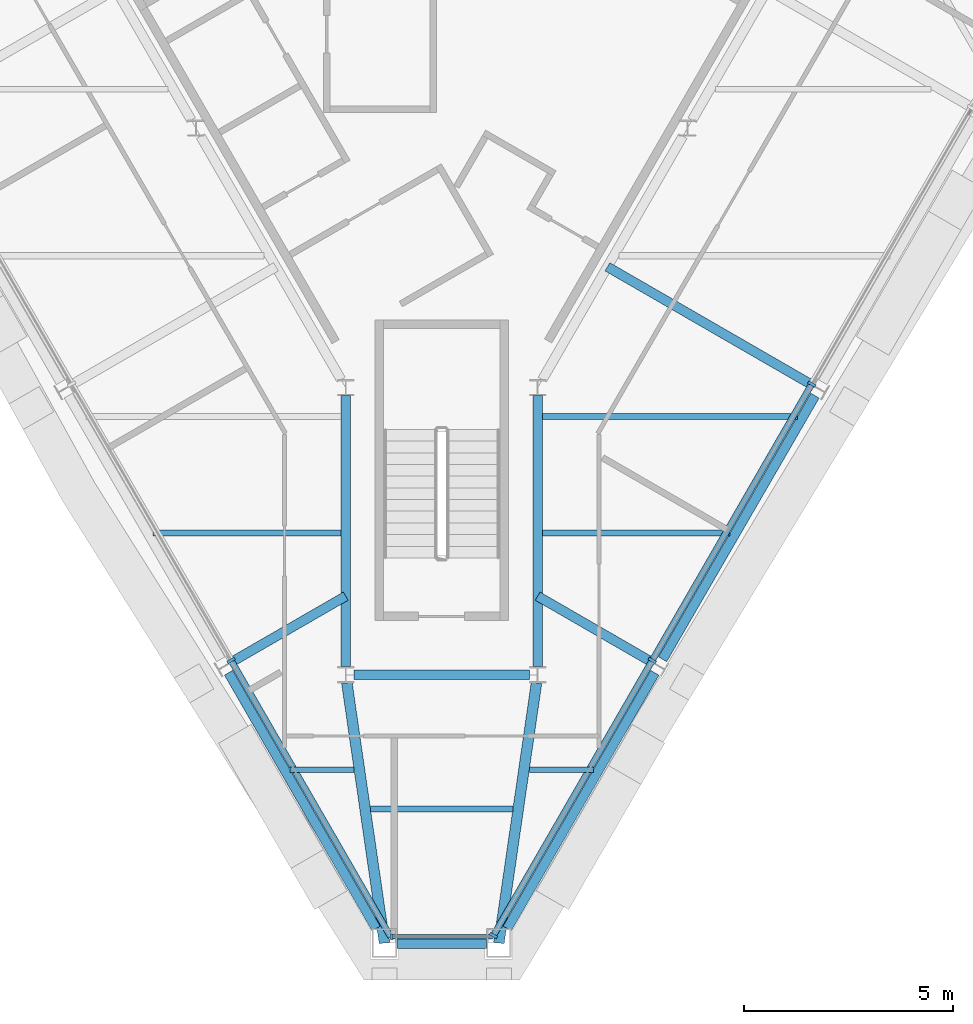
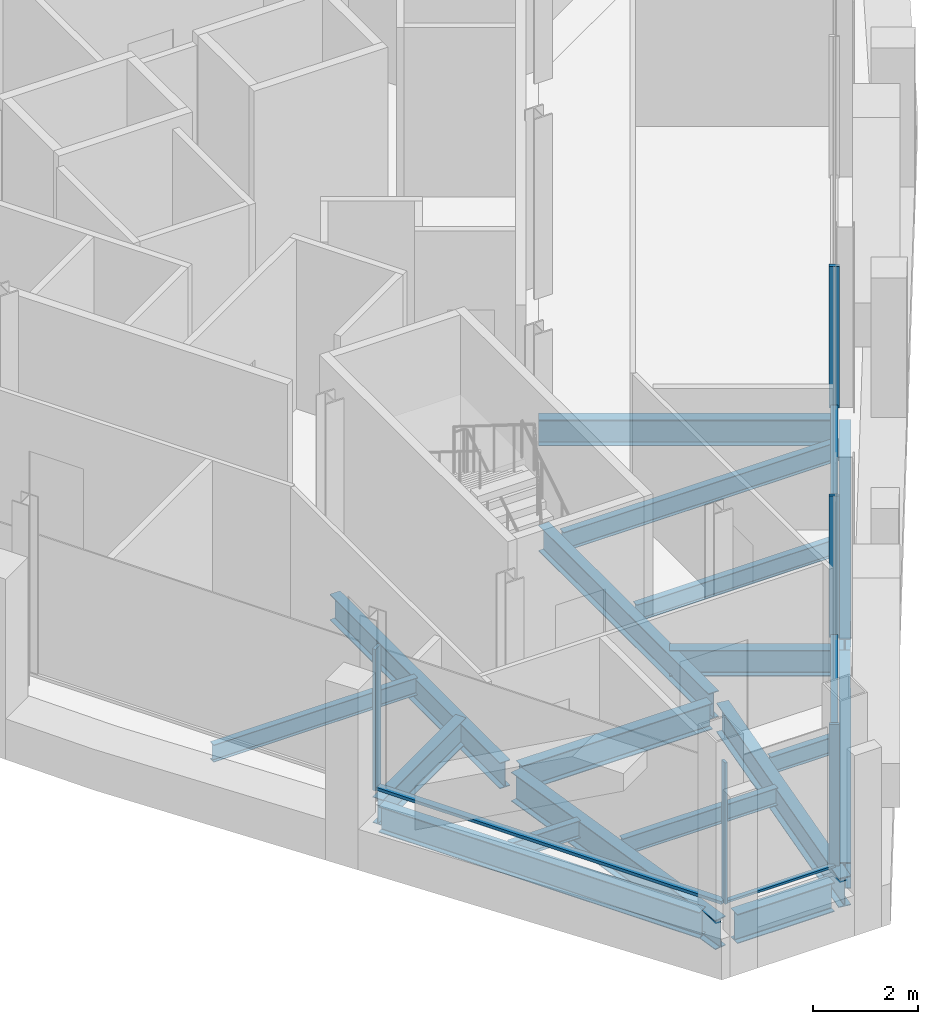
# One storey, part 3 of 13: 18 beams, 9 members, 3 elements without a shape of their own.
"""IFC4 building model written with IfcOpenShell, lengths in metres."""

from ifc_helpers import new_model, si_unit, direction, frame, origin, origin_2d, place, context, subcontext, project, spatial, rectangle, i_section, extrude, material, material_profile, profile_set, type_object, element, aggregate, save


model = new_model("IFC4")

# Units and contexts
model_context = context("Model", 3, precision=1e-05, world=origin(), true_north=direction((0.0, 1.0)))
body_context = subcontext(model_context, "Body", "Model", "MODEL_VIEW")
ifc_project = project(units=[si_unit("LENGTHUNIT", "METRE"), si_unit("AREAUNIT", "SQUARE_METRE"), si_unit("VOLUMEUNIT", "CUBIC_METRE"), si_unit("PLANEANGLEUNIT", "RADIAN"), si_unit("MASSUNIT", "GRAM", prefix="KILO")], contexts=[model_context])

# Site, building, storey
site_placement = place(None, origin())
site = spatial("IfcSite", under=ifc_project, at=site_placement, CompositionType="ELEMENT")
building_placement = place(site_placement, origin())
building = spatial("IfcBuilding", under=site, at=building_placement, Name="Verrane Prism Tower", CompositionType="ELEMENT")
storey_placement = place(building_placement, frame((0.0, 0.0, 325.199951171875)))
storey = spatial("IfcBuildingStorey", under=building, at=storey_placement, Name="L82", CompositionType="ELEMENT", Elevation=325.199951171875)

# Beams
ifc_material_1 = material(Name="Steel A992", Category="steel")
ifc_material_profile_1 = material_profile(ifc_material_1, i_section(OverallWidth=0.25390625, OverallDepth=0.683349609375, WebThickness=0.012451171875, FlangeThickness=0.01904296875, FilletRadius=0.01513671875, at=origin_2d()), Name="W27x94")
ifc_profile_set_1 = profile_set([ifc_material_profile_1], Name="Steel A992")
beam_type_1 = type_object("IfcBeamType", Name="Chamfer spandrel beam W27x94", PredefinedType="SPANDREL", material=ifc_profile_set_1)
beam_1_placement = place(storey_placement, frame((-1.070068359375, -22.929931640625, -0.50146484375), z_axis=(1.0, 0.0, 0.0), x_axis=(0.0, 1.0, 0.0)))
element("IfcBeam", 1, at=beam_1_placement, inside=storey, type_object=beam_type_1, Name="Chamfer spandrel beam L82", PredefinedType="SPANDREL", context=body_context, shape_type="SweptSolid", body=[
    extrude(i_section(OverallWidth=0.25390625, OverallDepth=0.683349609375, WebThickness=0.012451171875, FlangeThickness=0.01904296875, FilletRadius=0.01513671875, at=origin_2d()), origin(), (0.0, 0.0, 1.0), 2.14013671875),
])
ifc_material_2 = material(Name="Steel A992", Category="steel")
ifc_material_profile_2 = material_profile(ifc_material_2, i_section(OverallWidth=0.228271484375, OverallDepth=0.607177734375, WebThickness=0.01123046875, FlangeThickness=0.017333984375, FilletRadius=0.0126953125, at=origin_2d()), Name="W24x76")
ifc_profile_set_2 = profile_set([ifc_material_profile_2], Name="Steel A992")
beam_type_2 = type_object("IfcBeamType", Name="Core ring girder W24x76", PredefinedType="BEAM", material=ifc_profile_set_2)
beam_2_placement = place(storey_placement, frame((-2.300048828125, -9.81298828125, -0.553466796875), z_axis=(0.0, -1.0, 0.0), x_axis=(1.0, 0.0, 0.0)))
element("IfcBeam", 2, at=beam_2_placement, inside=storey, type_object=beam_type_2, Name="Core ring girder L82", PredefinedType="BEAM", context=body_context, shape_type="SweptSolid", body=[
    extrude(i_section(OverallWidth=0.228271484375, OverallDepth=0.607177734375, WebThickness=0.01123046875, FlangeThickness=0.017333984375, FilletRadius=0.0126953125, at=origin_2d()), origin(), (0.0, 0.0, 1.0), 6.493896484375),
])
beam_3_placement = place(storey_placement, frame((-2.1005859375, -16.5, -0.553466796875), z_axis=(1.0, 0.0, 0.0), x_axis=(0.0, 1.0, 0.0)))
element("IfcBeam", 3, at=beam_3_placement, inside=storey, type_object=beam_type_2, Name="Core ring girder L82", PredefinedType="BEAM", context=body_context, shape_type="SweptSolid", body=[
    extrude(i_section(OverallWidth=0.228271484375, OverallDepth=0.607177734375, WebThickness=0.01123046875, FlangeThickness=0.017333984375, FilletRadius=0.0126953125, at=origin_2d()), origin(), (0.0, 0.0, 1.0), 4.201171875),
])
beam_4_placement = place(storey_placement, frame((2.300048828125, -16.306884765625, -0.553466796875), z_axis=(0.0, 1.0, 0.0), x_axis=(-1.0, 0.0, 0.0)))
element("IfcBeam", 4, at=beam_4_placement, inside=storey, type_object=beam_type_2, Name="Core ring girder L82", PredefinedType="BEAM", context=body_context, shape_type="SweptSolid", body=[
    extrude(i_section(OverallWidth=0.228271484375, OverallDepth=0.607177734375, WebThickness=0.01123046875, FlangeThickness=0.017333984375, FilletRadius=0.0126953125, at=origin_2d()), origin(), (0.0, 0.0, 1.0), 6.493896484375),
])
ifc_material_3 = material(Name="Steel A992", Category="steel")
ifc_material_profile_3 = material_profile(ifc_material_3, i_section(OverallWidth=0.25390625, OverallDepth=0.683349609375, WebThickness=0.012451171875, FlangeThickness=0.01904296875, FilletRadius=0.01513671875, at=origin_2d()), Name="W27x94")
ifc_profile_set_3 = profile_set([ifc_material_profile_3], Name="Steel A992")
beam_type_3 = type_object("IfcBeamType", Name="Corner girder W27x94", PredefinedType="BEAM", material=ifc_profile_set_3)
beam_5_placement = place(storey_placement, frame((-1.37060546875, -22.926513671875, -0.5615234375), z_axis=(-0.143152302146, 0.989700671107, 0.0), x_axis=(-0.989700671107, -0.143152302146, 0.0)))
element("IfcBeam", 5, at=beam_5_placement, inside=storey, type_object=beam_type_3, Name="Corner girder L82", PredefinedType="BEAM", context=body_context, shape_type="SweptSolid", body=[
    extrude(i_section(OverallWidth=0.25390625, OverallDepth=0.683349609375, WebThickness=0.012451171875, FlangeThickness=0.01904296875, FilletRadius=0.01513671875, at=origin_2d()), origin(), (0.0, 0.0, 1.0), 6.29833984375),
])
beam_6_placement = place(storey_placement, frame((1.37060546875, -22.92626953125, -0.5615234375), z_axis=(0.143157794237, 0.989699876705, 0.0), x_axis=(-0.989699876705, 0.143157794237, 0.0)))
element("IfcBeam", 6, at=beam_6_placement, inside=storey, type_object=beam_type_3, Name="Corner girder L82", PredefinedType="BEAM", context=body_context, shape_type="SweptSolid", body=[
    extrude(i_section(OverallWidth=0.25390625, OverallDepth=0.683349609375, WebThickness=0.012451171875, FlangeThickness=0.01904296875, FilletRadius=0.01513671875, at=origin_2d()), origin(), (0.0, 0.0, 1.0), 6.298095703125),
])
ifc_material_4 = material(Name="Steel A992", Category="steel")
ifc_material_profile_4 = material_profile(ifc_material_4, i_section(OverallWidth=0.140380859375, OverallDepth=0.40380859375, WebThickness=0.007080078125, FlangeThickness=0.01123046875, FilletRadius=0.01025390625, at=origin_2d()), Name="W16x31")
ifc_profile_set_4 = profile_set([ifc_material_profile_4], Name="Steel A992")
beam_type_4 = type_object("IfcBeamType", Name="Floor beam W16x31", PredefinedType="BEAM", material=ifc_profile_set_4)
beam_7_placement = place(storey_placement, frame((-6.9130859375, -13.10009765625, -0.36181640625), z_axis=(1.0, 0.0, 0.0), x_axis=(0.0, 1.0, 0.0)))
element("IfcBeam", 7, at=beam_7_placement, inside=storey, type_object=beam_type_4, Name="Floor beam L82", PredefinedType="BEAM", context=body_context, shape_type="SweptSolid", body=[
    extrude(i_section(OverallWidth=0.140380859375, OverallDepth=0.40380859375, WebThickness=0.007080078125, FlangeThickness=0.01123046875, FilletRadius=0.01025390625, at=origin_2d()), origin(), (0.0, 0.0, 1.0), 4.4990234375),
])
for number, where, z_axis, x_axis, name in (
    (8, (-3.635009765625, -18.77490234375, -0.36181640625), (1.0, 0.0, 0.0), (0.0, 1.0, 0.0), "Floor beam L82"),
    (9, (2.099365234375, -18.77490234375, -0.36181640625), (1.0, 0.0, 0.0), (0.0, 1.0, 0.0), "Floor beam L82"),
):
    element("IfcBeam", number, at=place(storey_placement, frame(where, z_axis=z_axis, x_axis=x_axis)), inside=storey, type_object=beam_type_4, Name=name, PredefinedType="BEAM", context=body_context, shape_type="SweptSolid", body=[
        extrude(i_section(OverallWidth=0.140380859375, OverallDepth=0.40380859375, WebThickness=0.007080078125, FlangeThickness=0.01123046875, FilletRadius=0.01025390625, at=origin_2d()), origin(), (0.0, 0.0, 1.0), 1.53564453125),
    ])
beam_8_placement = place(storey_placement, frame((2.4140625, -13.10009765625, -0.36181640625), z_axis=(1.0, 0.0, 0.0), x_axis=(0.0, 1.0, 0.0)))
element("IfcBeam", 10, at=beam_8_placement, inside=storey, type_object=beam_type_4, Name="Floor beam L82", PredefinedType="BEAM", context=body_context, shape_type="SweptSolid", body=[
    extrude(i_section(OverallWidth=0.140380859375, OverallDepth=0.40380859375, WebThickness=0.007080078125, FlangeThickness=0.01123046875, FilletRadius=0.01025390625, at=origin_2d()), origin(), (0.0, 0.0, 1.0), 4.4990234375),
])
beam_9_placement = place(storey_placement, frame((-1.706787109375, -19.715087890625, -0.36181640625), z_axis=(1.0, 0.0, 0.0), x_axis=(0.0, 1.0, 0.0)))
element("IfcBeam", 11, at=beam_9_placement, inside=storey, type_object=beam_type_4, Name="Floor beam L82", PredefinedType="BEAM", context=body_context, shape_type="SweptSolid", body=[
    extrude(i_section(OverallWidth=0.140380859375, OverallDepth=0.40380859375, WebThickness=0.007080078125, FlangeThickness=0.01123046875, FilletRadius=0.01025390625, at=origin_2d()), origin(), (0.0, 0.0, 1.0), 3.41357421875),
])
ifc_material_5 = material(Name="Steel A992", Category="steel")
ifc_material_profile_5 = material_profile(ifc_material_5, i_section(OverallWidth=0.15234375, OverallDepth=0.449462890625, WebThickness=0.007568359375, FlangeThickness=0.0107421875, FilletRadius=0.01025390625, at=origin_2d()), Name="W18x35")
ifc_profile_set_5 = profile_set([ifc_material_profile_5], Name="Steel A992")
beam_type_5 = type_object("IfcBeamType", Name="Floor beam W18x35", PredefinedType="BEAM", material=ifc_profile_set_5)
beam_10_placement = place(storey_placement, frame((2.4140625, -10.31005859375, -0.384765625), z_axis=(1.0, 0.0, 0.0), x_axis=(0.0, 1.0, 0.0)))
element("IfcBeam", 12, at=beam_10_placement, inside=storey, type_object=beam_type_5, Name="Floor beam L82", PredefinedType="BEAM", context=body_context, shape_type="SweptSolid", body=[
    extrude(i_section(OverallWidth=0.15234375, OverallDepth=0.449462890625, WebThickness=0.007568359375, FlangeThickness=0.0107421875, FilletRadius=0.01025390625, at=origin_2d()), origin(), (0.0, 0.0, 1.0), 6.112548828125),
])

# Curtain wall, member
ifc_material_6 = material(Name="Aluminium framed insulated glazing", Category="aluminium")
curtain_wall_type_1 = type_object("IfcCurtainWallType", Name="Curtain wall CW-C 4200 module", PredefinedType="NOTDEFINED", material=ifc_material_6)
curtain_wall_1_placement = place(storey_placement, origin())
curtain_wall_1 = element("IfcCurtainWall", 13, at=curtain_wall_1_placement, inside=storey, type_object=curtain_wall_type_1, Name="Glazed curtain wall south corner L82", PredefinedType="NOTDEFINED")
ifc_material_7 = material(Name="Aluminium alloy 6063-T6", Category="aluminium")
ifc_material_profile_6 = material_profile(ifc_material_7, rectangle(XDim=0.139892578125, YDim=0.050048828125, at=origin_2d()), Name="Mullion 50x140 aluminium")
ifc_profile_set_6 = profile_set([ifc_material_profile_6], Name="Aluminium alloy 6063-T6")
member_type_1 = type_object("IfcMemberType", Name="Mullion 50x140 aluminium", PredefinedType="MULLION", material=ifc_profile_set_6)
member_1_placement = place(storey_placement, frame((-1.197509765625, -22.77685546875, 0.0), z_axis=(0.0, 0.0, 1.0), x_axis=(0.0, 1.0, 0.0)))
member_1 = element("IfcMember", 14, at=member_1_placement, type_object=member_type_1, Name="CW82.5 mullion 1", PredefinedType="MULLION", context=body_context, shape_type="SweptSolid", body=[
    extrude(rectangle(XDim=0.139892578125, YDim=0.050048828125, at=origin_2d()), origin(), (0.0, 0.0, 1.0), 3.296630859375),
])

ifc_material_8 = material(Name="Aluminium framed insulated glazing", Category="aluminium")
curtain_wall_type_2 = type_object("IfcCurtainWallType", Name="Curtain wall CW-A 8400 module", PredefinedType="NOTDEFINED", material=ifc_material_8)
curtain_wall_2_placement = place(storey_placement, origin())
curtain_wall_2 = element("IfcCurtainWall", 15, at=curtain_wall_2_placement, inside=storey, type_object=curtain_wall_type_2, Name="Glazed curtain wall south-west face L82", PredefinedType="NOTDEFINED")
ifc_material_9 = material(Name="Aluminium alloy 6063-T6", Category="aluminium")
ifc_material_profile_7 = material_profile(ifc_material_9, rectangle(XDim=0.199951171875, YDim=0.070068359375, at=origin_2d()), Name="Mullion 70x200 aluminium")
ifc_profile_set_7 = profile_set([ifc_material_profile_7], Name="Aluminium alloy 6063-T6")
member_type_2 = type_object("IfcMemberType", Name="Mullion 70x200 aluminium", PredefinedType="MULLION", material=ifc_profile_set_7)
member_2_placement = place(storey_placement, frame((-5.04541015625, -16.155517578125, 0.0), z_axis=(0.0, 0.0, 1.0), x_axis=(0.866025278644, 0.500000216749, 0.0)))
member_2 = element("IfcMember", 16, at=member_2_placement, type_object=member_type_2, Name="CW82.4 mullion 5", PredefinedType="MULLION", context=body_context, shape_type="SweptSolid", body=[
    extrude(rectangle(XDim=0.199951171875, YDim=0.070068359375, at=origin_2d()), origin(), (0.0, 0.0, 1.0), 3.296630859375),
])

# Curtain wall, members
curtain_wall_3_placement = place(storey_placement, origin())
curtain_wall_3 = element("IfcCurtainWall", 17, at=curtain_wall_3_placement, inside=storey, type_object=curtain_wall_type_2, Name="Glazed curtain wall south-east face L82", PredefinedType="NOTDEFINED")
member_3_placement = place(storey_placement, frame((1.239990234375, -22.74658203125, 0.0), z_axis=(0.0, 0.0, 1.0), x_axis=(-0.866025278644, 0.500000216749, 0.0)))
member_3 = element("IfcMember", 18, at=member_3_placement, type_object=member_type_2, Name="CW82.6 mullion 1", PredefinedType="MULLION", context=body_context, shape_type="SweptSolid", body=[
    extrude(rectangle(XDim=0.199951171875, YDim=0.070068359375, at=origin_2d()), origin(), (0.0, 0.0, 1.0), 3.296630859375),
])
member_4_placement = place(storey_placement, frame((5.04541015625, -16.155517578125, 0.0), z_axis=(0.0, 0.0, 1.0), x_axis=(-0.866025278644, 0.500000216749, 0.0)))
member_4 = element("IfcMember", 19, at=member_4_placement, type_object=member_type_2, Name="CW82.6 mullion 2", PredefinedType="MULLION", context=body_context, shape_type="SweptSolid", body=[
    extrude(rectangle(XDim=0.199951171875, YDim=0.070068359375, at=origin_2d()), origin(), (0.0, 0.0, 1.0), 3.296630859375),
])
member_5_placement = place(storey_placement, frame((8.8681640625, -9.5341796875, 0.0), z_axis=(0.0, 0.0, 1.0), x_axis=(-0.866025278644, 0.500000216749, 0.0)))
member_5 = element("IfcMember", 20, at=member_5_placement, type_object=member_type_2, Name="CW82.6 mullion 3", PredefinedType="MULLION", context=body_context, shape_type="SweptSolid", body=[
    extrude(rectangle(XDim=0.199951171875, YDim=0.070068359375, at=origin_2d()), origin(), (0.0, 0.0, 1.0), 3.296630859375),
])

# Beams
ifc_material_10 = material(Name="Steel A992", Category="steel")
ifc_material_profile_8 = material_profile(ifc_material_10, i_section(OverallWidth=0.228271484375, OverallDepth=0.607177734375, WebThickness=0.01123046875, FlangeThickness=0.017333984375, FilletRadius=0.0126953125, at=origin_2d()), Name="W24x76")
ifc_profile_set_8 = profile_set([ifc_material_profile_8], Name="Steel A992")
beam_type_6 = type_object("IfcBeamType", Name="Radial girder W24x76", PredefinedType="BEAM", material=ifc_profile_set_8)
for number, where, z_axis, x_axis, name in (
    (21, (-5.04052734375, -16.197998046875, -0.5234375), (0.866017278078, 0.500014073873, 0.0), (-0.500014073873, 0.866017278078, 0.0), "Radial girder L82"),
    (22, (5.04052734375, -16.197998046875, -0.5234375), (-0.866017278078, 0.500014073873, 0.0), (-0.500014073873, -0.866017278078, 0.0), "Radial girder L82"),
):
    element("IfcBeam", number, at=place(storey_placement, frame(where, z_axis=z_axis, x_axis=x_axis)), inside=storey, type_object=beam_type_6, Name=name, PredefinedType="BEAM", context=body_context, shape_type="SweptSolid", body=[
        extrude(i_section(OverallWidth=0.228271484375, OverallDepth=0.607177734375, WebThickness=0.01123046875, FlangeThickness=0.017333984375, FilletRadius=0.0126953125, at=origin_2d()), origin(), (0.0, 0.0, 1.0), 3.16455078125),
    ])
beam_11_placement = place(storey_placement, frame((8.880615234375, -9.557861328125, -0.5234375), z_axis=(-0.866039985572, 0.499974742752, 0.0), x_axis=(-0.499974742752, -0.866039985572, 0.0)))
element("IfcBeam", 23, at=beam_11_placement, inside=storey, type_object=beam_type_6, Name="Radial girder L82", PredefinedType="BEAM", context=body_context, shape_type="SweptSolid", body=[
    extrude(i_section(OverallWidth=0.228271484375, OverallDepth=0.607177734375, WebThickness=0.01123046875, FlangeThickness=0.017333984375, FilletRadius=0.0126953125, at=origin_2d()), origin(), (0.0, 0.0, 1.0), 5.668212890625),
])
ifc_material_11 = material(Name="Steel A992", Category="steel")
ifc_material_profile_9 = material_profile(ifc_material_11, i_section(OverallWidth=0.228271484375, OverallDepth=0.607177734375, WebThickness=0.01123046875, FlangeThickness=0.017333984375, FilletRadius=0.0126953125, at=origin_2d()), Name="W24x76")
ifc_profile_set_9 = profile_set([ifc_material_profile_9], Name="Steel A992")
beam_type_7 = type_object("IfcBeamType", Name="Spandrel beam W24x76", PredefinedType="SPANDREL", material=ifc_profile_set_9)
for number, where, z_axis, x_axis, name in (
    (24, (-5.106689453125, -16.45166015625, -0.46337890625), (0.49962087648, -0.866244180232, 0.0), (0.866244180232, 0.49962087648, 0.0), "Spandrel beam L82"),
    (25, (1.572021484375, -22.580078125, -0.46337890625), (0.49962087648, 0.866244180232, 0.0), (-0.866244180232, 0.49962087648, 0.0), "Spandrel beam L82"),
):
    element("IfcBeam", number, at=place(storey_placement, frame(where, z_axis=z_axis, x_axis=x_axis)), inside=storey, type_object=beam_type_7, Name=name, PredefinedType="SPANDREL", context=body_context, shape_type="SweptSolid", body=[
        extrude(i_section(OverallWidth=0.228271484375, OverallDepth=0.607177734375, WebThickness=0.01123046875, FlangeThickness=0.017333984375, FilletRadius=0.0126953125, at=origin_2d()), origin(), (0.0, 0.0, 1.0), 7.07470703125),
    ])
beam_12_placement = place(storey_placement, frame((5.29345703125, -16.12841796875, -0.46337890625), z_axis=(0.50061813753, 0.865668227658, 0.0), x_axis=(-0.865668227658, 0.50061813753, 0.0)))
element("IfcBeam", 26, at=beam_12_placement, inside=storey, type_object=beam_type_7, Name="Spandrel beam L82", PredefinedType="SPANDREL", context=body_context, shape_type="SweptSolid", body=[
    extrude(i_section(OverallWidth=0.228271484375, OverallDepth=0.607177734375, WebThickness=0.01123046875, FlangeThickness=0.017333984375, FilletRadius=0.0126953125, at=origin_2d()), origin(), (0.0, 0.0, 1.0), 7.297119140625),
])

# Member
ifc_material_12 = material(Name="Aluminium alloy 6063-T6", Category="aluminium")
ifc_material_profile_10 = material_profile(ifc_material_12, rectangle(XDim=0.10009765625, YDim=0.050048828125, at=origin_2d()), Name="Transom 50x100 aluminium")
ifc_profile_set_10 = profile_set([ifc_material_profile_10], Name="Aluminium alloy 6063-T6")
member_type_3 = type_object("IfcMemberType", Name="Transom 50x100 aluminium", PredefinedType="USERDEFINED", material=ifc_profile_set_10)
member_6_placement = place(storey_placement, frame((-1.172607421875, -22.77685546875, 0.025146484375), z_axis=(1.0, 0.0, 0.0), x_axis=(0.0, 1.0, 0.0)))
member_6 = element("IfcMember", 27, at=member_6_placement, type_object=member_type_3, Name="CW82.5 transom 1", ObjectType="TRANSOM", PredefinedType="USERDEFINED", context=body_context, shape_type="SweptSolid", body=[
    extrude(rectangle(XDim=0.10009765625, YDim=0.050048828125, at=origin_2d()), origin(), (0.0, 0.0, 1.0), 2.395263671875),
])

aggregate(curtain_wall_1, [member_1, member_6])

ifc_material_13 = material(Name="Aluminium alloy 6063-T6", Category="aluminium")
ifc_material_profile_11 = material_profile(ifc_material_13, rectangle(XDim=0.14990234375, YDim=0.070068359375, at=origin_2d()), Name="Transom 70x150 aluminium")
ifc_profile_set_11 = profile_set([ifc_material_profile_11], Name="Aluminium alloy 6063-T6")
member_type_4 = type_object("IfcMemberType", Name="Transom 70x150 aluminium", PredefinedType="USERDEFINED", material=ifc_profile_set_11)
member_7_placement = place(storey_placement, frame((-5.02783203125, -16.185791015625, 0.03515625), z_axis=(0.49998255174, -0.866035477308, 0.0), x_axis=(0.866035477308, 0.49998255174, 0.0)))
member_7 = element("IfcMember", 28, at=member_7_placement, type_object=member_type_4, Name="CW82.4 transom 5", ObjectType="TRANSOM", PredefinedType="USERDEFINED", context=body_context, shape_type="SweptSolid", body=[
    extrude(rectangle(XDim=0.14990234375, YDim=0.070068359375, at=origin_2d()), origin(), (0.0, 0.0, 1.0), 7.610595703125),
])

aggregate(curtain_wall_2, [member_2, member_7])

member_8_placement = place(storey_placement, frame((1.257568359375, -22.716064453125, 0.03515625), z_axis=(0.500000849894, 0.866024913097, 0.0), x_axis=(-0.866024913097, 0.500000849894, 0.0)))
member_8 = element("IfcMember", 29, at=member_8_placement, type_object=member_type_4, Name="CW82.6 transom 1", ObjectType="TRANSOM", PredefinedType="USERDEFINED", context=body_context, shape_type="SweptSolid", body=[
    extrude(rectangle(XDim=0.14990234375, YDim=0.070068359375, at=origin_2d()), origin(), (0.0, 0.0, 1.0), 7.54052734375),
])

member_9_placement = place(storey_placement, frame((5.06298828125, -16.125244140625, 0.03515625), z_axis=(0.499972595749, 0.866041225058, 0.0), x_axis=(-0.866041225058, 0.499972595749, 0.0)))
member_9 = element("IfcMember", 30, at=member_9_placement, type_object=member_type_4, Name="CW82.6 transom 2", ObjectType="TRANSOM", PredefinedType="USERDEFINED", context=body_context, shape_type="SweptSolid", body=[
    extrude(rectangle(XDim=0.14990234375, YDim=0.070068359375, at=origin_2d()), origin(), (0.0, 0.0, 1.0), 7.57568359375),
])

aggregate(curtain_wall_3, [member_3, member_4, member_5, member_8, member_9])

save(model, "model.ifc")
